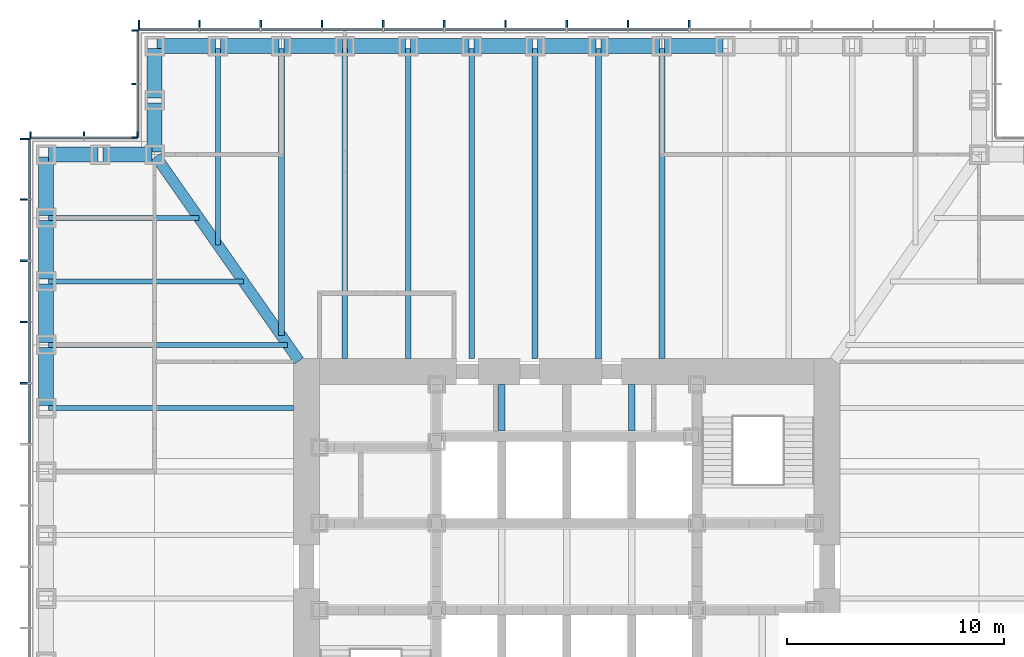
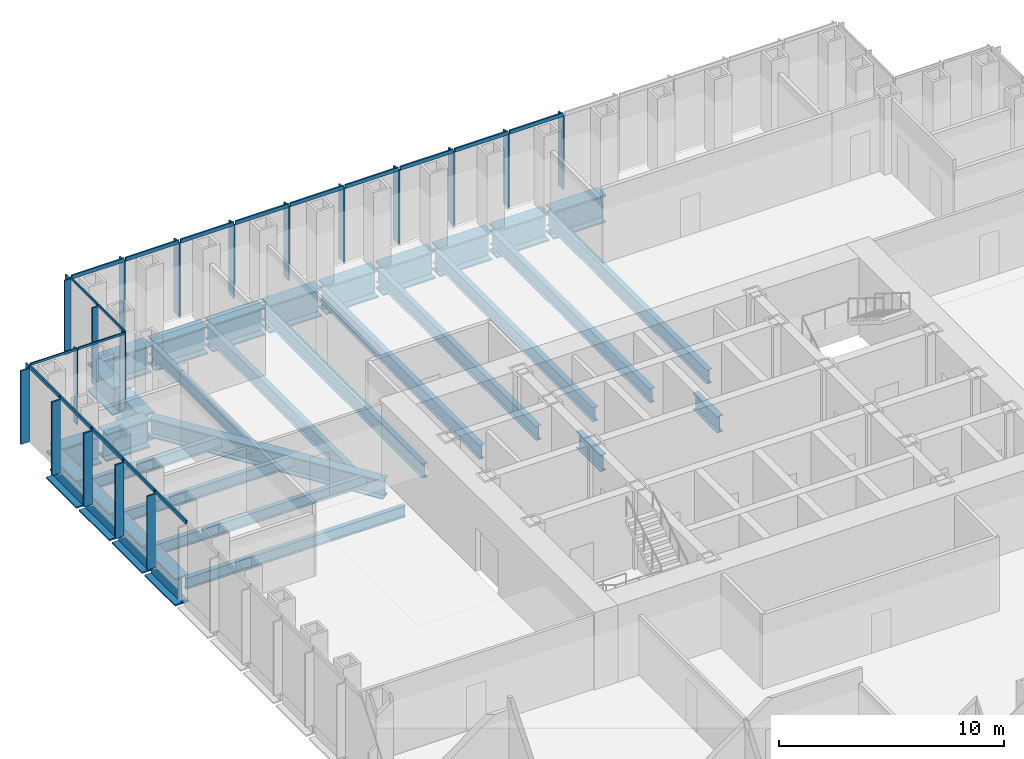
# One storey, part 5 of 17: 39 members, 32 beams, 4 elements without a shape of their own.
"""IFC4 building model written with IfcOpenShell, lengths in metres."""

from ifc_helpers import new_model, si_unit, direction, frame, origin, origin_2d, place, context, subcontext, project, spatial, rectangle, i_section, extrude, material, material_profile, profile_set, type_object, element, aggregate, save


model = new_model("IFC4")

# Units and contexts
model_context = context("Model", 3, precision=1e-05, world=origin(), true_north=direction((0.0, 1.0)))
body_context = subcontext(model_context, "Body", "Model", "MODEL_VIEW")
ifc_project = project(units=[si_unit("LENGTHUNIT", "METRE"), si_unit("AREAUNIT", "SQUARE_METRE"), si_unit("VOLUMEUNIT", "CUBIC_METRE"), si_unit("PLANEANGLEUNIT", "RADIAN"), si_unit("MASSUNIT", "GRAM", prefix="KILO")], contexts=[model_context])

# Site, building, storey
site_placement = place(None, origin())
site = spatial("IfcSite", under=ifc_project, at=site_placement, CompositionType="ELEMENT")
building_placement = place(site_placement, origin())
building = spatial("IfcBuilding", under=site, at=building_placement, Name="Daluyong Arena Tower", CompositionType="ELEMENT")
storey_placement = place(building_placement, frame((0.0, 0.0, 89.5)))
storey = spatial("IfcBuildingStorey", under=building, at=storey_placement, Name="L19", CompositionType="ELEMENT", Elevation=89.5)

# Curtain wall, members
ifc_material_1 = material(Name="Bronze anodised aluminium and glass", Category="aluminium")
curtain_wall_type_1 = type_object("IfcCurtainWallType", Name="Curtain wall CW1", PredefinedType="USERDEFINED", material=ifc_material_1)
curtain_wall_1_placement = place(storey_placement, origin())
curtain_wall_1 = element("IfcCurtainWall", 1, at=curtain_wall_1_placement, inside=storey, type_object=curtain_wall_type_1, Name="curtain wall L19 N", ObjectType="UNITISED CURTAIN WALL", PredefinedType="USERDEFINED")
ifc_material_2 = material(Name="Bronze anodised aluminium fin", Category="aluminium")
ifc_material_profile_1 = material_profile(ifc_material_2, rectangle(XDim=0.449951171875, YDim=0.080078125, at=origin_2d()))
ifc_profile_set_1 = profile_set([ifc_material_profile_1], Name="Bronze anodised aluminium fin")
member_type_1 = type_object("IfcMemberType", Name="CW1 bronze fin 450x80", PredefinedType="MULLION", material=ifc_profile_set_1)
member_1_placement = place(storey_placement, frame((61.642822265625, 104.97509765625, 0.0), z_axis=(0.0, 0.0, 1.0), x_axis=(0.0, -1.0, 0.0)))
member_1 = element("IfcMember", 2, at=member_1_placement, type_object=member_type_1, Name="curtain wall L19 N fin 6", PredefinedType="MULLION", context=body_context, shape_type="SweptSolid", body=[
    extrude(rectangle(XDim=0.449951171875, YDim=0.080078125, at=origin_2d()), origin(), (0.0, 0.0, 1.0), 4.0),
])
member_2_placement = place(storey_placement, frame((58.821533203125, 104.97509765625, 0.0), z_axis=(0.0, 0.0, 1.0), x_axis=(0.0, -1.0, 0.0)))
member_2 = element("IfcMember", 3, at=member_2_placement, type_object=member_type_1, Name="curtain wall L19 N fin 7", PredefinedType="MULLION", context=body_context, shape_type="SweptSolid", body=[
    extrude(rectangle(XDim=0.449951171875, YDim=0.080078125, at=origin_2d()), origin(), (0.0, 0.0, 1.0), 4.0),
])
member_3_placement = place(storey_placement, frame((56.0, 104.97509765625, 0.0), z_axis=(0.0, 0.0, 1.0), x_axis=(0.0, -1.0, 0.0)))
member_3 = element("IfcMember", 4, at=member_3_placement, type_object=member_type_1, Name="curtain wall L19 N fin 8", PredefinedType="MULLION", context=body_context, shape_type="SweptSolid", body=[
    extrude(rectangle(XDim=0.449951171875, YDim=0.080078125, at=origin_2d()), origin(), (0.0, 0.0, 1.0), 4.0),
])
member_4_placement = place(storey_placement, frame((53.178466796875, 104.97509765625, 0.0), z_axis=(0.0, 0.0, 1.0), x_axis=(0.0, -1.0, 0.0)))
member_4 = element("IfcMember", 5, at=member_4_placement, type_object=member_type_1, Name="curtain wall L19 N fin 9", PredefinedType="MULLION", context=body_context, shape_type="SweptSolid", body=[
    extrude(rectangle(XDim=0.449951171875, YDim=0.080078125, at=origin_2d()), origin(), (0.0, 0.0, 1.0), 4.0),
])
member_5_placement = place(storey_placement, frame((50.357177734375, 104.97509765625, 0.0), z_axis=(0.0, 0.0, 1.0), x_axis=(0.0, -1.0, 0.0)))
member_5 = element("IfcMember", 6, at=member_5_placement, type_object=member_type_1, Name="curtain wall L19 N fin 10", PredefinedType="MULLION", context=body_context, shape_type="SweptSolid", body=[
    extrude(rectangle(XDim=0.449951171875, YDim=0.080078125, at=origin_2d()), origin(), (0.0, 0.0, 1.0), 4.0),
])
member_6_placement = place(storey_placement, frame((47.53564453125, 104.97509765625, 0.0), z_axis=(0.0, 0.0, 1.0), x_axis=(0.0, -1.0, 0.0)))
member_6 = element("IfcMember", 7, at=member_6_placement, type_object=member_type_1, Name="curtain wall L19 N fin 11", PredefinedType="MULLION", context=body_context, shape_type="SweptSolid", body=[
    extrude(rectangle(XDim=0.449951171875, YDim=0.080078125, at=origin_2d()), origin(), (0.0, 0.0, 1.0), 4.0),
])
member_7_placement = place(storey_placement, frame((44.71435546875, 104.97509765625, 0.0), z_axis=(0.0, 0.0, 1.0), x_axis=(0.0, -1.0, 0.0)))
member_7 = element("IfcMember", 8, at=member_7_placement, type_object=member_type_1, Name="curtain wall L19 N fin 12", PredefinedType="MULLION", context=body_context, shape_type="SweptSolid", body=[
    extrude(rectangle(XDim=0.449951171875, YDim=0.080078125, at=origin_2d()), origin(), (0.0, 0.0, 1.0), 4.0),
])
member_8_placement = place(storey_placement, frame((41.892822265625, 104.97509765625, 0.0), z_axis=(0.0, 0.0, 1.0), x_axis=(0.0, -1.0, 0.0)))
member_8 = element("IfcMember", 9, at=member_8_placement, type_object=member_type_1, Name="curtain wall L19 N fin 13", PredefinedType="MULLION", context=body_context, shape_type="SweptSolid", body=[
    extrude(rectangle(XDim=0.449951171875, YDim=0.080078125, at=origin_2d()), origin(), (0.0, 0.0, 1.0), 4.0),
])
member_9_placement = place(storey_placement, frame((39.071533203125, 104.97509765625, 0.0), z_axis=(0.0, 0.0, 1.0), x_axis=(0.0, -1.0, 0.0)))
member_9 = element("IfcMember", 10, at=member_9_placement, type_object=member_type_1, Name="curtain wall L19 N fin 14", PredefinedType="MULLION", context=body_context, shape_type="SweptSolid", body=[
    extrude(rectangle(XDim=0.449951171875, YDim=0.080078125, at=origin_2d()), origin(), (0.0, 0.0, 1.0), 4.0),
])
member_10_placement = place(storey_placement, frame((36.2900390625, 104.97509765625, 0.0), z_axis=(0.0, 0.0, 1.0), x_axis=(0.0, -1.0, 0.0)))
member_10 = element("IfcMember", 11, at=member_10_placement, type_object=member_type_1, Name="curtain wall L19 N fin 15", PredefinedType="MULLION", context=body_context, shape_type="SweptSolid", body=[
    extrude(rectangle(XDim=0.449951171875, YDim=0.080078125, at=origin_2d()), origin(), (0.0, 0.0, 1.0), 4.0),
])

curtain_wall_2_placement = place(storey_placement, origin())
curtain_wall_2 = element("IfcCurtainWall", 12, at=curtain_wall_2_placement, inside=storey, type_object=curtain_wall_type_1, Name="curtain wall L19 W", ObjectType="UNITISED CURTAIN WALL", PredefinedType="USERDEFINED")
member_11_placement = place(storey_placement, frame((31.02490234375, 99.7099609375, 0.0), z_axis=(0.0, 0.0, 1.0), x_axis=(1.0, 0.0, 0.0)))
member_11 = element("IfcMember", 13, at=member_11_placement, type_object=member_type_1, Name="curtain wall L19 W fin 1", PredefinedType="MULLION", context=body_context, shape_type="SweptSolid", body=[
    extrude(rectangle(XDim=0.449951171875, YDim=0.080078125, at=origin_2d()), origin(), (0.0, 0.0, 1.0), 4.0),
])
member_12_placement = place(storey_placement, frame((31.02490234375, 96.928466796875, 0.0), z_axis=(0.0, 0.0, 1.0), x_axis=(1.0, 0.0, 0.0)))
member_12 = element("IfcMember", 14, at=member_12_placement, type_object=member_type_1, Name="curtain wall L19 W fin 2", PredefinedType="MULLION", context=body_context, shape_type="SweptSolid", body=[
    extrude(rectangle(XDim=0.449951171875, YDim=0.080078125, at=origin_2d()), origin(), (0.0, 0.0, 1.0), 4.0),
])
member_13_placement = place(storey_placement, frame((31.02490234375, 94.107177734375, 0.0), z_axis=(0.0, 0.0, 1.0), x_axis=(1.0, 0.0, 0.0)))
member_13 = element("IfcMember", 15, at=member_13_placement, type_object=member_type_1, Name="curtain wall L19 W fin 3", PredefinedType="MULLION", context=body_context, shape_type="SweptSolid", body=[
    extrude(rectangle(XDim=0.449951171875, YDim=0.080078125, at=origin_2d()), origin(), (0.0, 0.0, 1.0), 4.0),
])
member_14_placement = place(storey_placement, frame((31.02490234375, 91.28564453125, 0.0), z_axis=(0.0, 0.0, 1.0), x_axis=(1.0, 0.0, 0.0)))
member_14 = element("IfcMember", 16, at=member_14_placement, type_object=member_type_1, Name="curtain wall L19 W fin 4", PredefinedType="MULLION", context=body_context, shape_type="SweptSolid", body=[
    extrude(rectangle(XDim=0.449951171875, YDim=0.080078125, at=origin_2d()), origin(), (0.0, 0.0, 1.0), 4.0),
])
member_15_placement = place(storey_placement, frame((31.02490234375, 88.46435546875, 0.0), z_axis=(0.0, 0.0, 1.0), x_axis=(1.0, 0.0, 0.0)))
member_15 = element("IfcMember", 17, at=member_15_placement, type_object=member_type_1, Name="curtain wall L19 W fin 5", PredefinedType="MULLION", context=body_context, shape_type="SweptSolid", body=[
    extrude(rectangle(XDim=0.449951171875, YDim=0.080078125, at=origin_2d()), origin(), (0.0, 0.0, 1.0), 4.0),
])

# Member
ifc_material_3 = material(Name="Bronze anodised aluminium", Category="aluminium")
ifc_material_profile_2 = material_profile(ifc_material_3, rectangle(XDim=0.080078125, YDim=0.199951171875, at=origin_2d()))
ifc_profile_set_2 = profile_set([ifc_material_profile_2], Name="Bronze anodised aluminium")
member_type_2 = type_object("IfcMemberType", Name="CW1 stack transom 200x80", PredefinedType="USERDEFINED", material=ifc_profile_set_2)
member_16_placement = place(storey_placement, frame((61.602783203125, 104.75, 4.10009765625), z_axis=(-1.0, 0.0, 0.0), x_axis=(0.0, -1.0, 0.0)))
member_16 = element("IfcMember", 18, at=member_16_placement, type_object=member_type_2, Name="curtain wall L19 N transom 6", ObjectType="TRANSOM", PredefinedType="USERDEFINED", context=body_context, shape_type="SweptSolid", body=[
    extrude(rectangle(XDim=0.080078125, YDim=0.199951171875, at=origin_2d()), origin(), (0.0, 0.0, 1.0), 2.741455078125),
])

member_17_placement = place(storey_placement, frame((58.781494140625, 104.75, 4.10009765625), z_axis=(-1.0, 0.0, 0.0), x_axis=(0.0, -1.0, 0.0)))
member_17 = element("IfcMember", 19, at=member_17_placement, type_object=member_type_2, Name="curtain wall L19 N transom 7", ObjectType="TRANSOM", PredefinedType="USERDEFINED", context=body_context, shape_type="SweptSolid", body=[
    extrude(rectangle(XDim=0.080078125, YDim=0.199951171875, at=origin_2d()), origin(), (0.0, 0.0, 1.0), 2.741455078125),
])

member_18_placement = place(storey_placement, frame((55.9599609375, 104.75, 4.10009765625), z_axis=(-1.0, 0.0, 0.0), x_axis=(0.0, -1.0, 0.0)))
member_18 = element("IfcMember", 20, at=member_18_placement, type_object=member_type_2, Name="curtain wall L19 N transom 8", ObjectType="TRANSOM", PredefinedType="USERDEFINED", context=body_context, shape_type="SweptSolid", body=[
    extrude(rectangle(XDim=0.080078125, YDim=0.199951171875, at=origin_2d()), origin(), (0.0, 0.0, 1.0), 2.741455078125),
])

member_19_placement = place(storey_placement, frame((53.138671875, 104.75, 4.10009765625), z_axis=(-1.0, 0.0, 0.0), x_axis=(0.0, -1.0, 0.0)))
member_19 = element("IfcMember", 21, at=member_19_placement, type_object=member_type_2, Name="curtain wall L19 N transom 9", ObjectType="TRANSOM", PredefinedType="USERDEFINED", context=body_context, shape_type="SweptSolid", body=[
    extrude(rectangle(XDim=0.080078125, YDim=0.199951171875, at=origin_2d()), origin(), (0.0, 0.0, 1.0), 2.741455078125),
])

member_20_placement = place(storey_placement, frame((50.317138671875, 104.75, 4.10009765625), z_axis=(-1.0, 0.0, 0.0), x_axis=(0.0, -1.0, 0.0)))
member_20 = element("IfcMember", 22, at=member_20_placement, type_object=member_type_2, Name="curtain wall L19 N transom 10", ObjectType="TRANSOM", PredefinedType="USERDEFINED", context=body_context, shape_type="SweptSolid", body=[
    extrude(rectangle(XDim=0.080078125, YDim=0.199951171875, at=origin_2d()), origin(), (0.0, 0.0, 1.0), 2.741455078125),
])

member_21_placement = place(storey_placement, frame((47.49560546875, 104.75, 4.10009765625), z_axis=(-1.0, 0.0, 0.0), x_axis=(0.0, -1.0, 0.0)))
member_21 = element("IfcMember", 23, at=member_21_placement, type_object=member_type_2, Name="curtain wall L19 N transom 11", ObjectType="TRANSOM", PredefinedType="USERDEFINED", context=body_context, shape_type="SweptSolid", body=[
    extrude(rectangle(XDim=0.080078125, YDim=0.199951171875, at=origin_2d()), origin(), (0.0, 0.0, 1.0), 2.7412109375),
])

member_22_placement = place(storey_placement, frame((44.67431640625, 104.75, 4.10009765625), z_axis=(-1.0, 0.0, 0.0), x_axis=(0.0, -1.0, 0.0)))
member_22 = element("IfcMember", 24, at=member_22_placement, type_object=member_type_2, Name="curtain wall L19 N transom 12", ObjectType="TRANSOM", PredefinedType="USERDEFINED", context=body_context, shape_type="SweptSolid", body=[
    extrude(rectangle(XDim=0.080078125, YDim=0.199951171875, at=origin_2d()), origin(), (0.0, 0.0, 1.0), 2.741455078125),
])

member_23_placement = place(storey_placement, frame((41.852783203125, 104.75, 4.10009765625), z_axis=(-1.0, 0.0, 0.0), x_axis=(0.0, -1.0, 0.0)))
member_23 = element("IfcMember", 25, at=member_23_placement, type_object=member_type_2, Name="curtain wall L19 N transom 13", ObjectType="TRANSOM", PredefinedType="USERDEFINED", context=body_context, shape_type="SweptSolid", body=[
    extrude(rectangle(XDim=0.080078125, YDim=0.199951171875, at=origin_2d()), origin(), (0.0, 0.0, 1.0), 2.741455078125),
])

member_24_placement = place(storey_placement, frame((39.031494140625, 104.75, 4.10009765625), z_axis=(-1.0, 0.0, 0.0), x_axis=(0.0, -1.0, 0.0)))
member_24 = element("IfcMember", 26, at=member_24_placement, type_object=member_type_2, Name="curtain wall L19 N transom 14", ObjectType="TRANSOM", PredefinedType="USERDEFINED", context=body_context, shape_type="SweptSolid", body=[
    extrude(rectangle(XDim=0.080078125, YDim=0.199951171875, at=origin_2d()), origin(), (0.0, 0.0, 1.0), 2.701416015625),
])

aggregate(curtain_wall_1, [member_1, member_2, member_3, member_4, member_5, member_6, member_7, member_8, member_9, member_10, member_16, member_17, member_18, member_19, member_20, member_21, member_22, member_23, member_24])

member_25_placement = place(storey_placement, frame((31.25, 99.669921875, 4.10009765625), z_axis=(0.0, -1.0, 0.0), x_axis=(1.0, 0.0, 0.0)))
member_25 = element("IfcMember", 27, at=member_25_placement, type_object=member_type_2, Name="curtain wall L19 W transom 1", ObjectType="TRANSOM", PredefinedType="USERDEFINED", context=body_context, shape_type="SweptSolid", body=[
    extrude(rectangle(XDim=0.080078125, YDim=0.199951171875, at=origin_2d()), origin(), (0.0, 0.0, 1.0), 2.701416015625),
])

member_26_placement = place(storey_placement, frame((31.25, 96.888671875, 4.10009765625), z_axis=(0.0, -1.0, 0.0), x_axis=(1.0, 0.0, 0.0)))
member_26 = element("IfcMember", 28, at=member_26_placement, type_object=member_type_2, Name="curtain wall L19 W transom 2", ObjectType="TRANSOM", PredefinedType="USERDEFINED", context=body_context, shape_type="SweptSolid", body=[
    extrude(rectangle(XDim=0.080078125, YDim=0.199951171875, at=origin_2d()), origin(), (0.0, 0.0, 1.0), 2.741455078125),
])

member_27_placement = place(storey_placement, frame((31.25, 94.067138671875, 4.10009765625), z_axis=(0.0, -1.0, 0.0), x_axis=(1.0, 0.0, 0.0)))
member_27 = element("IfcMember", 29, at=member_27_placement, type_object=member_type_2, Name="curtain wall L19 W transom 3", ObjectType="TRANSOM", PredefinedType="USERDEFINED", context=body_context, shape_type="SweptSolid", body=[
    extrude(rectangle(XDim=0.080078125, YDim=0.199951171875, at=origin_2d()), origin(), (0.0, 0.0, 1.0), 2.741455078125),
])

member_28_placement = place(storey_placement, frame((31.25, 91.24560546875, 4.10009765625), z_axis=(0.0, -1.0, 0.0), x_axis=(1.0, 0.0, 0.0)))
member_28 = element("IfcMember", 30, at=member_28_placement, type_object=member_type_2, Name="curtain wall L19 W transom 4", ObjectType="TRANSOM", PredefinedType="USERDEFINED", context=body_context, shape_type="SweptSolid", body=[
    extrude(rectangle(XDim=0.080078125, YDim=0.199951171875, at=origin_2d()), origin(), (0.0, 0.0, 1.0), 2.7412109375),
])

member_29_placement = place(storey_placement, frame((31.25, 88.42431640625, 4.10009765625), z_axis=(0.0, -1.0, 0.0), x_axis=(1.0, 0.0, 0.0)))
member_29 = element("IfcMember", 31, at=member_29_placement, type_object=member_type_2, Name="curtain wall L19 W transom 5", ObjectType="TRANSOM", PredefinedType="USERDEFINED", context=body_context, shape_type="SweptSolid", body=[
    extrude(rectangle(XDim=0.080078125, YDim=0.199951171875, at=origin_2d()), origin(), (0.0, 0.0, 1.0), 2.741455078125),
])

aggregate(curtain_wall_2, [member_11, member_12, member_13, member_14, member_15, member_25, member_26, member_27, member_28, member_29])

# Curtain wall, members
ifc_material_4 = material(Name="Bronze anodised aluminium and glass", Category="aluminium")
curtain_wall_type_2 = type_object("IfcCurtainWallType", Name="Curtain wall CW7", PredefinedType="USERDEFINED", material=ifc_material_4)
curtain_wall_3_placement = place(storey_placement, origin())
curtain_wall_3 = element("IfcCurtainWall", 32, at=curtain_wall_3_placement, inside=storey, type_object=curtain_wall_type_2, Name="curtain wall L19 NW-W", ObjectType="UNITISED CURTAIN WALL", PredefinedType="USERDEFINED")
ifc_material_5 = material(Name="Bronze anodised aluminium fin", Category="aluminium")
ifc_material_profile_3 = material_profile(ifc_material_5, rectangle(XDim=0.300048828125, YDim=0.06005859375, at=origin_2d()))
ifc_profile_set_3 = profile_set([ifc_material_profile_3], Name="Bronze anodised aluminium fin")
member_type_3 = type_object("IfcMemberType", Name="CW7 bronze fin 300x60", PredefinedType="MULLION", material=ifc_profile_set_3)
member_30_placement = place(storey_placement, frame((36.10009765625, 104.719970703125, 0.0), z_axis=(0.0, 0.0, 1.0), x_axis=(1.0, 0.0, 0.0)))
member_30 = element("IfcMember", 33, at=member_30_placement, type_object=member_type_3, Name="curtain wall L19 NW-W fin 1", PredefinedType="MULLION", context=body_context, shape_type="SweptSolid", body=[
    extrude(rectangle(XDim=0.300048828125, YDim=0.06005859375, at=origin_2d()), origin(), (0.0, 0.0, 1.0), 4.080078125),
])
member_31_placement = place(storey_placement, frame((36.10009765625, 102.25, 0.0), z_axis=(0.0, 0.0, 1.0), x_axis=(1.0, 0.0, 0.0)))
member_31 = element("IfcMember", 34, at=member_31_placement, type_object=member_type_3, Name="curtain wall L19 NW-W fin 2", PredefinedType="MULLION", context=body_context, shape_type="SweptSolid", body=[
    extrude(rectangle(XDim=0.300048828125, YDim=0.06005859375, at=origin_2d()), origin(), (0.0, 0.0, 1.0), 4.080078125),
])
member_32_placement = place(storey_placement, frame((36.10009765625, 99.780029296875, 0.0), z_axis=(0.0, 0.0, 1.0), x_axis=(1.0, 0.0, 0.0)))
member_32 = element("IfcMember", 35, at=member_32_placement, type_object=member_type_3, Name="curtain wall L19 NW-W fin 3", PredefinedType="MULLION", context=body_context, shape_type="SweptSolid", body=[
    extrude(rectangle(XDim=0.300048828125, YDim=0.06005859375, at=origin_2d()), origin(), (0.0, 0.0, 1.0), 4.080078125),
])

curtain_wall_4_placement = place(storey_placement, origin())
curtain_wall_4 = element("IfcCurtainWall", 36, at=curtain_wall_4_placement, inside=storey, type_object=curtain_wall_type_2, Name="curtain wall L19 NW-N", ObjectType="UNITISED CURTAIN WALL", PredefinedType="USERDEFINED")
member_33_placement = place(storey_placement, frame((36.219970703125, 99.89990234375, 0.0), z_axis=(0.0, 0.0, 1.0), x_axis=(0.0, -1.0, 0.0)))
member_33 = element("IfcMember", 37, at=member_33_placement, type_object=member_type_3, Name="curtain wall L19 NW-N fin 1", PredefinedType="MULLION", context=body_context, shape_type="SweptSolid", body=[
    extrude(rectangle(XDim=0.300048828125, YDim=0.06005859375, at=origin_2d()), origin(), (0.0, 0.0, 1.0), 4.080078125),
])
member_34_placement = place(storey_placement, frame((33.75, 99.89990234375, 0.0), z_axis=(0.0, 0.0, 1.0), x_axis=(0.0, -1.0, 0.0)))
member_34 = element("IfcMember", 38, at=member_34_placement, type_object=member_type_3, Name="curtain wall L19 NW-N fin 2", PredefinedType="MULLION", context=body_context, shape_type="SweptSolid", body=[
    extrude(rectangle(XDim=0.300048828125, YDim=0.06005859375, at=origin_2d()), origin(), (0.0, 0.0, 1.0), 4.080078125),
])
member_35_placement = place(storey_placement, frame((31.280029296875, 99.89990234375, 0.0), z_axis=(0.0, 0.0, 1.0), x_axis=(0.0, -1.0, 0.0)))
member_35 = element("IfcMember", 39, at=member_35_placement, type_object=member_type_3, Name="curtain wall L19 NW-N fin 3", PredefinedType="MULLION", context=body_context, shape_type="SweptSolid", body=[
    extrude(rectangle(XDim=0.300048828125, YDim=0.06005859375, at=origin_2d()), origin(), (0.0, 0.0, 1.0), 4.080078125),
])

# Member
ifc_material_6 = material(Name="Bronze anodised aluminium", Category="aluminium")
ifc_material_profile_4 = material_profile(ifc_material_6, rectangle(XDim=0.06005859375, YDim=0.1201171875, at=origin_2d()))
ifc_profile_set_4 = profile_set([ifc_material_profile_4], Name="Bronze anodised aluminium")
member_type_4 = type_object("IfcMemberType", Name="CW7 stack transom 120x60", PredefinedType="USERDEFINED", material=ifc_profile_set_4)
member_36_placement = place(storey_placement, frame((36.25, 104.68994140625, 4.139892578125), z_axis=(0.0, -1.0, 0.0), x_axis=(1.0, 0.0, 0.0)))
member_36 = element("IfcMember", 40, at=member_36_placement, type_object=member_type_4, Name="curtain wall L19 NW-W transom 1", ObjectType="TRANSOM", PredefinedType="USERDEFINED", context=body_context, shape_type="SweptSolid", body=[
    extrude(rectangle(XDim=0.06005859375, YDim=0.1201171875, at=origin_2d()), origin(), (0.0, 0.0, 1.0), 2.409912109375),
])

member_37_placement = place(storey_placement, frame((36.25, 102.219970703125, 4.139892578125), z_axis=(0.0, -1.0, 0.0), x_axis=(1.0, 0.0, 0.0)))
member_37 = element("IfcMember", 41, at=member_37_placement, type_object=member_type_4, Name="curtain wall L19 NW-W transom 2", ObjectType="TRANSOM", PredefinedType="USERDEFINED", context=body_context, shape_type="SweptSolid", body=[
    extrude(rectangle(XDim=0.06005859375, YDim=0.1201171875, at=origin_2d()), origin(), (0.0, 0.0, 1.0), 2.409912109375),
])

aggregate(curtain_wall_3, [member_30, member_31, member_32, member_36, member_37])

member_38_placement = place(storey_placement, frame((36.18994140625, 99.75, 4.139892578125), z_axis=(-1.0, 0.0, 0.0), x_axis=(0.0, -1.0, 0.0)))
member_38 = element("IfcMember", 42, at=member_38_placement, type_object=member_type_4, Name="curtain wall L19 NW-N transom 1", ObjectType="TRANSOM", PredefinedType="USERDEFINED", context=body_context, shape_type="SweptSolid", body=[
    extrude(rectangle(XDim=0.06005859375, YDim=0.1201171875, at=origin_2d()), origin(), (0.0, 0.0, 1.0), 2.409912109375),
])

member_39_placement = place(storey_placement, frame((33.719970703125, 99.75, 4.139892578125), z_axis=(-1.0, 0.0, 0.0), x_axis=(0.0, -1.0, 0.0)))
member_39 = element("IfcMember", 43, at=member_39_placement, type_object=member_type_4, Name="curtain wall L19 NW-N transom 2", ObjectType="TRANSOM", PredefinedType="USERDEFINED", context=body_context, shape_type="SweptSolid", body=[
    extrude(rectangle(XDim=0.06005859375, YDim=0.1201171875, at=origin_2d()), origin(), (0.0, 0.0, 1.0), 2.409912109375),
])

aggregate(curtain_wall_4, [member_33, member_34, member_35, member_38, member_39])

# Beams
ifc_material_7 = material(Name="Steel ASTM A572 Grade 50", Category="steel")
ifc_material_profile_5 = material_profile(ifc_material_7, i_section(OverallWidth=0.5, OverallDepth=1.0, WebThickness=0.03, FlangeThickness=0.06, at=origin_2d()))
ifc_profile_set_5 = profile_set([ifc_material_profile_5], Name="Steel ASTM A572 Grade 50")
beam_type_1 = type_object("IfcBeamType", Name="Corner girder TB1000X500", PredefinedType="BEAM", material=ifc_profile_set_5)
beam_1_placement = place(storey_placement, frame((37.06591796875, 98.90576171875, -0.659912109375), z_axis=(0.573466621875, -0.819228926244, 0.0), x_axis=(0.819228926244, 0.573466621875, 0.0)))
element("IfcBeam", 44, at=beam_1_placement, inside=storey, type_object=beam_type_1, Name="corner girder DG2", PredefinedType="BEAM", context=body_context, shape_type="SweptSolid", body=[
    extrude(i_section(OverallWidth=0.5, OverallDepth=1.0, WebThickness=0.03, FlangeThickness=0.06, at=origin_2d()), origin(), (0.0, 0.0, 1.0), 11.49169921875),
])
ifc_material_8 = material(Name="Steel ASTM A992 Grade 50", Category="steel")
ifc_material_profile_6 = material_profile(ifc_material_8, i_section(OverallWidth=0.22900390625, OverallDepth=0.612060546875, WebThickness=0.011962890625, FlangeThickness=0.01953125, at=origin_2d()))
ifc_profile_set_6 = profile_set([ifc_material_profile_6], Name="Steel ASTM A992 Grade 50")
beam_type_2 = type_object("IfcBeamType", Name="Floor beam W24X84", PredefinedType="BEAM", material=ifc_profile_set_6)
beam_2_placement = place(storey_placement, frame((39.923095703125, 103.885009765625, -0.466064453125), z_axis=(0.0, -1.0, 0.0), x_axis=(1.0, 0.0, 0.0)))
element("IfcBeam", 45, at=beam_2_placement, inside=storey, type_object=beam_type_2, Name="floor beam FB3", PredefinedType="BEAM", context=body_context, shape_type="SweptSolid", body=[
    extrude(i_section(OverallWidth=0.22900390625, OverallDepth=0.612060546875, WebThickness=0.011962890625, FlangeThickness=0.01953125, at=origin_2d()), origin(), (0.0, 0.0, 1.0), 9.060791015625),
])
beam_3_placement = place(storey_placement, frame((32.114990234375, 96.076904296875, -0.466064453125), z_axis=(1.0, 0.0, 0.0), x_axis=(0.0, 1.0, 0.0)))
element("IfcBeam", 46, at=beam_3_placement, inside=storey, type_object=beam_type_2, Name="floor beam FB3", PredefinedType="BEAM", context=body_context, shape_type="SweptSolid", body=[
    extrude(i_section(OverallWidth=0.22900390625, OverallDepth=0.612060546875, WebThickness=0.011962890625, FlangeThickness=0.01953125, at=origin_2d()), origin(), (0.0, 0.0, 1.0), 6.93115234375),
])
beam_4_placement = place(storey_placement, frame((32.114990234375, 93.15380859375, -0.466064453125), z_axis=(1.0, 0.0, 0.0), x_axis=(0.0, 1.0, 0.0)))
element("IfcBeam", 47, at=beam_4_placement, inside=storey, type_object=beam_type_2, Name="floor beam FB3", PredefinedType="BEAM", context=body_context, shape_type="SweptSolid", body=[
    extrude(i_section(OverallWidth=0.22900390625, OverallDepth=0.612060546875, WebThickness=0.011962890625, FlangeThickness=0.01953125, at=origin_2d()), origin(), (0.0, 0.0, 1.0), 8.977294921875),
])
beam_5_placement = place(storey_placement, frame((32.114990234375, 90.230712890625, -0.466064453125), z_axis=(1.0, 0.0, 0.0), x_axis=(0.0, 1.0, 0.0)))
element("IfcBeam", 48, at=beam_5_placement, inside=storey, type_object=beam_type_2, Name="floor beam FB3", PredefinedType="BEAM", context=body_context, shape_type="SweptSolid", body=[
    extrude(i_section(OverallWidth=0.22900390625, OverallDepth=0.612060546875, WebThickness=0.011962890625, FlangeThickness=0.01953125, at=origin_2d()), origin(), (0.0, 0.0, 1.0), 11.0234375),
])
beam_6_placement = place(storey_placement, frame((32.114990234375, 87.3076171875, -0.466064453125), z_axis=(1.0, 0.0, 0.0), x_axis=(0.0, 1.0, 0.0)))
element("IfcBeam", 49, at=beam_6_placement, inside=storey, type_object=beam_type_2, Name="floor beam FB3", PredefinedType="BEAM", context=body_context, shape_type="SweptSolid", body=[
    extrude(i_section(OverallWidth=0.22900390625, OverallDepth=0.612060546875, WebThickness=0.011962890625, FlangeThickness=0.01953125, at=origin_2d()), origin(), (0.0, 0.0, 1.0), 11.284912109375),
])
ifc_material_9 = material(Name="Steel ASTM A992 Grade 50", Category="steel")
ifc_material_profile_7 = material_profile(ifc_material_9, i_section(OverallWidth=0.2666015625, OverallDepth=0.761962890625, WebThickness=0.014404296875, FlangeThickness=0.021484375, at=origin_2d()))
ifc_profile_set_7 = profile_set([ifc_material_profile_7], Name="Steel ASTM A992 Grade 50")
beam_type_3 = type_object("IfcBeamType", Name="Floor beam W30X116", PredefinedType="BEAM", material=ifc_profile_set_7)
for number, where, z_axis, x_axis, name in (
    (50, (60.384521484375, 103.885009765625, -0.541015625), (0.0, -1.0, 0.0), (1.0, 0.0, 0.0), "floor beam FB4"),
    (51, (57.46142578125, 103.885009765625, -0.541015625), (0.0, -1.0, 0.0), (1.0, 0.0, 0.0), "floor beam FB4"),
    (52, (54.53857421875, 103.885009765625, -0.541015625), (0.0, -1.0, 0.0), (1.0, 0.0, 0.0), "floor beam FB4"),
    (53, (51.615478515625, 103.885009765625, -0.541015625), (0.0, -1.0, 0.0), (1.0, 0.0, 0.0), "floor beam FB4"),
    (54, (48.6923828125, 103.885009765625, -0.541015625), (0.0, -1.0, 0.0), (1.0, 0.0, 0.0), "floor beam FB4"),
    (55, (45.769287109375, 103.885009765625, -0.541015625), (0.0, -1.0, 0.0), (1.0, 0.0, 0.0), "floor beam FB4"),
):
    element("IfcBeam", number, at=place(storey_placement, frame(where, z_axis=z_axis, x_axis=x_axis)), inside=storey, type_object=beam_type_3, Name=name, PredefinedType="BEAM", context=body_context, shape_type="SweptSolid", body=[
        extrude(i_section(OverallWidth=0.2666015625, OverallDepth=0.761962890625, WebThickness=0.014404296875, FlangeThickness=0.021484375, at=origin_2d()), origin(), (0.0, 0.0, 1.0), 14.284912109375),
    ])
beam_7_placement = place(storey_placement, frame((42.84619140625, 103.885009765625, -0.541015625), z_axis=(0.0, -1.0, 0.0), x_axis=(1.0, 0.0, 0.0)))
element("IfcBeam", 56, at=beam_7_placement, inside=storey, type_object=beam_type_3, Name="floor beam FB4", PredefinedType="BEAM", context=body_context, shape_type="SweptSolid", body=[
    extrude(i_section(OverallWidth=0.2666015625, OverallDepth=0.761962890625, WebThickness=0.014404296875, FlangeThickness=0.021484375, at=origin_2d()), origin(), (0.0, 0.0, 1.0), 13.236572265625),
])
ifc_material_10 = material(Name="Steel ASTM A572 Grade 50", Category="steel")
ifc_material_profile_8 = material_profile(ifc_material_10, i_section(OverallWidth=0.300048828125, OverallDepth=0.89990234375, WebThickness=0.025, FlangeThickness=0.04, at=origin_2d()))
ifc_profile_set_8 = profile_set([ifc_material_profile_8], Name="Steel ASTM A572 Grade 50")
beam_type_4 = type_object("IfcBeamType", Name="Lift divider beam PG900X300", PredefinedType="BEAM", material=ifc_profile_set_8)
for number, where, z_axis, x_axis, name in (
    (57, (53.0, 86.25, -0.610107421875), (0.0, 1.0, 0.0), (-1.0, 0.0, 0.0), "lift divider beam DB1"),
    (58, (59.0, 86.25, -0.610107421875), (0.0, 1.0, 0.0), (-1.0, 0.0, 0.0), "lift divider beam DB1"),
):
    element("IfcBeam", number, at=place(storey_placement, frame(where, z_axis=z_axis, x_axis=x_axis)), inside=storey, type_object=beam_type_4, Name=name, PredefinedType="BEAM", context=body_context, shape_type="SweptSolid", body=[
        extrude(i_section(OverallWidth=0.300048828125, OverallDepth=0.89990234375, WebThickness=0.025, FlangeThickness=0.04, at=origin_2d()), origin(), (0.0, 0.0, 1.0), 2.14990234375),
    ])
ifc_material_11 = material(Name="Steel ASTM A572 Grade 50", Category="steel")
ifc_material_profile_9 = material_profile(ifc_material_11, i_section(OverallWidth=0.699951171875, OverallDepth=1.5, WebThickness=0.04, FlangeThickness=0.08, at=origin_2d()))
ifc_profile_set_9 = profile_set([ifc_material_profile_9], Name="Steel ASTM A572 Grade 50")
beam_type_5 = type_object("IfcBeamType", Name="Spandrel Z1 PG1500X700", PredefinedType="SPANDREL", material=ifc_profile_set_9)
for number, where, z_axis, x_axis, name in (
    (59, (63.192626953125, 104.0, -0.909912109375), (-1.0, 0.0, 0.0), (0.0, -1.0, 0.0), "spandrel z1 SB4"),
    (60, (60.26953125, 104.0, -0.909912109375), (-1.0, 0.0, 0.0), (0.0, -1.0, 0.0), "spandrel z1 SB4"),
):
    element("IfcBeam", number, at=place(storey_placement, frame(where, z_axis=z_axis, x_axis=x_axis)), inside=storey, type_object=beam_type_5, Name=name, PredefinedType="SPANDREL", context=body_context, shape_type="SweptSolid", body=[
        extrude(i_section(OverallWidth=0.699951171875, OverallDepth=1.5, WebThickness=0.04, FlangeThickness=0.08, at=origin_2d()), origin(), (0.0, 0.0, 1.0), 2.693115234375),
    ])
beam_8_placement = place(storey_placement, frame((57.346435546875, 104.0, -0.909912109375), z_axis=(-1.0, 0.0, 0.0), x_axis=(0.0, -1.0, 0.0)))
element("IfcBeam", 61, at=beam_8_placement, inside=storey, type_object=beam_type_5, Name="spandrel z1 SB4", PredefinedType="SPANDREL", context=body_context, shape_type="SweptSolid", body=[
    extrude(i_section(OverallWidth=0.699951171875, OverallDepth=1.5, WebThickness=0.04, FlangeThickness=0.08, at=origin_2d()), origin(), (0.0, 0.0, 1.0), 2.69287109375),
])
for number, where, z_axis, x_axis, name in (
    (62, (54.423583984375, 104.0, -0.909912109375), (-1.0, 0.0, 0.0), (0.0, -1.0, 0.0), "spandrel z1 SB4"),
    (63, (51.50048828125, 104.0, -0.909912109375), (-1.0, 0.0, 0.0), (0.0, -1.0, 0.0), "spandrel z1 SB4"),
    (64, (48.577392578125, 104.0, -0.909912109375), (-1.0, 0.0, 0.0), (0.0, -1.0, 0.0), "spandrel z1 SB4"),
    (65, (45.654296875, 104.0, -0.909912109375), (-1.0, 0.0, 0.0), (0.0, -1.0, 0.0), "spandrel z1 SB4"),
    (66, (42.731201171875, 104.0, -0.909912109375), (-1.0, 0.0, 0.0), (0.0, -1.0, 0.0), "spandrel z1 SB4"),
    (67, (39.80810546875, 104.0, -0.909912109375), (-1.0, 0.0, 0.0), (0.0, -1.0, 0.0), "spandrel z1 SB4"),
):
    element("IfcBeam", number, at=place(storey_placement, frame(where, z_axis=z_axis, x_axis=x_axis)), inside=storey, type_object=beam_type_5, Name=name, PredefinedType="SPANDREL", context=body_context, shape_type="SweptSolid", body=[
        extrude(i_section(OverallWidth=0.699951171875, OverallDepth=1.5, WebThickness=0.04, FlangeThickness=0.08, at=origin_2d()), origin(), (0.0, 0.0, 1.0), 2.693115234375),
    ])
for number, where, z_axis, x_axis, name in (
    (68, (37.0, 103.885009765625, -0.909912109375), (0.0, -1.0, 0.0), (1.0, 0.0, 0.0), "spandrel z1 SB4"),
    (69, (37.0, 101.385009765625, -0.909912109375), (0.0, -1.0, 0.0), (1.0, 0.0, 0.0), "spandrel z1 SB4"),
    (70, (36.885009765625, 99.0, -0.909912109375), (-1.0, 0.0, 0.0), (0.0, -1.0, 0.0), "spandrel z1 SB4"),
    (71, (34.385009765625, 99.0, -0.909912109375), (-1.0, 0.0, 0.0), (0.0, -1.0, 0.0), "spandrel z1 SB4"),
):
    element("IfcBeam", number, at=place(storey_placement, frame(where, z_axis=z_axis, x_axis=x_axis)), inside=storey, type_object=beam_type_5, Name=name, PredefinedType="SPANDREL", context=body_context, shape_type="SweptSolid", body=[
        extrude(i_section(OverallWidth=0.699951171875, OverallDepth=1.5, WebThickness=0.04, FlangeThickness=0.08, at=origin_2d()), origin(), (0.0, 0.0, 1.0), 2.27001953125),
    ])
for number, where, z_axis, x_axis, name in (
    (72, (32.0, 98.885009765625, -0.909912109375), (0.0, -1.0, 0.0), (1.0, 0.0, 0.0), "spandrel z1 SB4"),
    (73, (32.0, 95.9619140625, -0.909912109375), (0.0, -1.0, 0.0), (1.0, 0.0, 0.0), "spandrel z1 SB4"),
    (74, (32.0, 93.038818359375, -0.909912109375), (0.0, -1.0, 0.0), (1.0, 0.0, 0.0), "spandrel z1 SB4"),
    (75, (32.0, 90.11572265625, -0.909912109375), (0.0, -1.0, 0.0), (1.0, 0.0, 0.0), "spandrel z1 SB4"),
):
    element("IfcBeam", number, at=place(storey_placement, frame(where, z_axis=z_axis, x_axis=x_axis)), inside=storey, type_object=beam_type_5, Name=name, PredefinedType="SPANDREL", context=body_context, shape_type="SweptSolid", body=[
        extrude(i_section(OverallWidth=0.699951171875, OverallDepth=1.5, WebThickness=0.04, FlangeThickness=0.08, at=origin_2d()), origin(), (0.0, 0.0, 1.0), 2.693115234375),
    ])

save(model, "model.ifc")
